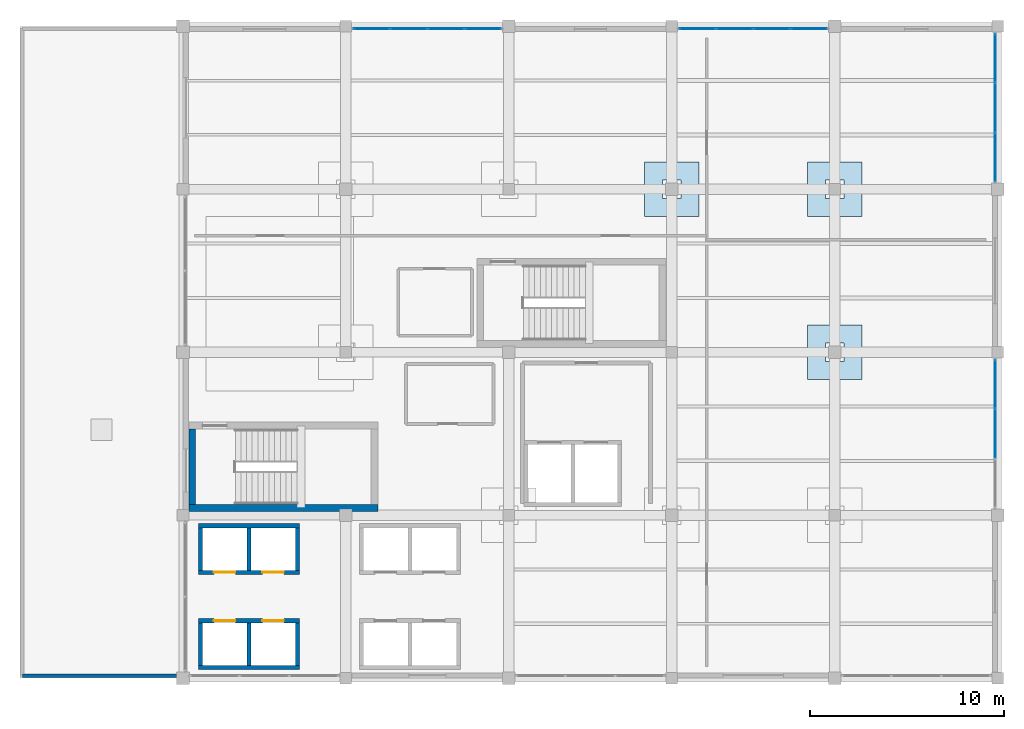
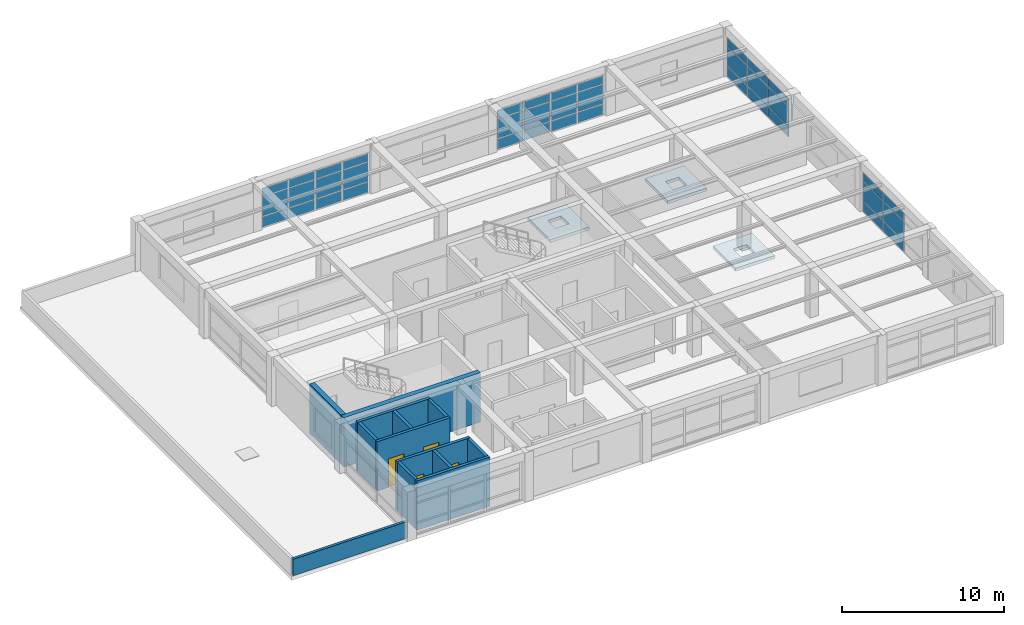
# One storey, part 23 of 26: 39 plates, 13 walls, 4 doors, 3 slabs, 4 openings, 4 elements without a shape of their own.
"""IFC4 building model written with IfcOpenShell, lengths in metres."""

from ifc_helpers import new_model, si_unit, direction, frame, frame_2d, origin, origin_2d, place, context, subcontext, project, spatial, polyline, rectangle, outline, extrude, material, layer, layer_set, type_object, element, fill, aggregate, save


model = new_model("IFC4")

# Units and contexts
model_context = context("Model", 3, precision=1e-05, world=origin(), true_north=direction((0.0, 1.0)))
body_context = subcontext(model_context, "Body", "Model", "MODEL_VIEW")
ifc_project = project(units=[si_unit("LENGTHUNIT", "METRE"), si_unit("AREAUNIT", "SQUARE_METRE"), si_unit("VOLUMEUNIT", "CUBIC_METRE"), si_unit("PLANEANGLEUNIT", "RADIAN"), si_unit("MASSUNIT", "GRAM", prefix="KILO")], contexts=[model_context])

# Site, building, storey
site_placement = place(None, origin())
site = spatial("IfcSite", under=ifc_project, at=site_placement, CompositionType="ELEMENT")
building_placement = place(site_placement, origin())
building = spatial("IfcBuilding", under=site, at=building_placement, Name="Almacenes y Pasaje Nevantli", CompositionType="ELEMENT")
storey_placement = place(building_placement, frame((0.0, 0.0, 42.699951171875)))
storey = spatial("IfcBuildingStorey", under=building, at=storey_placement, Name="L10", CompositionType="ELEMENT", Elevation=42.699951171875)

# Curtain wall, plates
ifc_material_1 = material(Name="Thermally Broken Aluminium and Low-E Glass", Category="aluminium")
curtain_wall_type = type_object("IfcCurtainWallType", Name="CW-UNIT-TOWER", PredefinedType="USERDEFINED", material=ifc_material_1)
curtain_wall_1_placement = place(storey_placement, origin())
curtain_wall_1 = element("IfcCurtainWall", 1, at=curtain_wall_1_placement, inside=storey, type_object=curtain_wall_type, Name="L10 Tower North Boulevard Unitized Curtain Wall Bay 16", ObjectType="UNITIZED CURTAIN WALL", PredefinedType="USERDEFINED")
ifc_material_2 = material(Name="Acoustic Tempered Low-E Triple Glazed Unit", Category="glass")
ifc_layer_1 = layer(ifc_material_2, 0.0419921875)
ifc_layer_set_1 = layer_set([ifc_layer_1], Name="Acoustic Tempered Low-E Triple Glazed Unit")
plate_type = type_object("IfcPlateType", Name="PL-IGU-42", PredefinedType="CURTAIN_PANEL", material=ifc_layer_set_1)
plate_1_placement = place(storey_placement, frame((127.328857421875, 100.679931640625, 0.065185546875), z_axis=(0.0, 0.0, 1.0), x_axis=(1.0, 0.0, 0.0)))
plate_1 = element("IfcPlate", 2, at=plate_1_placement, type_object=plate_type, Name="CW-L10-142 panel 1.1", PredefinedType="CURTAIN_PANEL", context=body_context, shape_type="SweptSolid", body=[
    extrude(rectangle(XDim=1.827392578125, YDim=0.0419921875, at=origin_2d()), origin(), (0.0, 0.0, 1.0), 0.75244140625),
])
plate_2_placement = place(storey_placement, frame((127.328857421875, 100.679931640625, 0.882568359375), z_axis=(0.0, 0.0, 1.0), x_axis=(1.0, 0.0, 0.0)))
plate_2 = element("IfcPlate", 3, at=plate_2_placement, type_object=plate_type, Name="CW-L10-142 panel 1.2", PredefinedType="CURTAIN_PANEL", context=body_context, shape_type="SweptSolid", body=[
    extrude(rectangle(XDim=1.827392578125, YDim=0.0419921875, at=origin_2d()), origin(), (0.0, 0.0, 1.0), 1.43505859375),
])
plate_3_placement = place(storey_placement, frame((127.328857421875, 100.679931640625, 2.38232421875), z_axis=(0.0, 0.0, 1.0), x_axis=(1.0, 0.0, 0.0)))
plate_3 = element("IfcPlate", 4, at=plate_3_placement, type_object=plate_type, Name="CW-L10-142 panel 1.3", PredefinedType="CURTAIN_PANEL", context=body_context, shape_type="SweptSolid", body=[
    extrude(rectangle(XDim=1.827392578125, YDim=0.0419921875, at=origin_2d()), origin(), (0.0, 0.0, 1.0), 0.592529296875),
])
plate_4_placement = place(storey_placement, frame((129.237548828125, 100.679931640625, 0.065185546875), z_axis=(0.0, 0.0, 1.0), x_axis=(1.0, 0.0, 0.0)))
plate_4 = element("IfcPlate", 5, at=plate_4_placement, type_object=plate_type, Name="CW-L10-142 panel 2.1", PredefinedType="CURTAIN_PANEL", context=body_context, shape_type="SweptSolid", body=[
    extrude(rectangle(XDim=1.860107421875, YDim=0.0419921875, at=origin_2d()), origin(), (0.0, 0.0, 1.0), 0.75244140625),
])
plate_5_placement = place(storey_placement, frame((129.237548828125, 100.679931640625, 0.882568359375), z_axis=(0.0, 0.0, 1.0), x_axis=(1.0, 0.0, 0.0)))
plate_5 = element("IfcPlate", 6, at=plate_5_placement, type_object=plate_type, Name="CW-L10-142 panel 2.2", PredefinedType="CURTAIN_PANEL", context=body_context, shape_type="SweptSolid", body=[
    extrude(rectangle(XDim=1.860107421875, YDim=0.0419921875, at=origin_2d()), origin(), (0.0, 0.0, 1.0), 1.43505859375),
])
plate_6_placement = place(storey_placement, frame((129.237548828125, 100.679931640625, 2.38232421875), z_axis=(0.0, 0.0, 1.0), x_axis=(1.0, 0.0, 0.0)))
plate_6 = element("IfcPlate", 7, at=plate_6_placement, type_object=plate_type, Name="CW-L10-142 panel 2.3", PredefinedType="CURTAIN_PANEL", context=body_context, shape_type="SweptSolid", body=[
    extrude(rectangle(XDim=1.860107421875, YDim=0.0419921875, at=origin_2d()), origin(), (0.0, 0.0, 1.0), 0.592529296875),
])
plate_7_placement = place(storey_placement, frame((131.16259765625, 100.679931640625, 0.065185546875), z_axis=(0.0, 0.0, 1.0), x_axis=(1.0, 0.0, 0.0)))
plate_7 = element("IfcPlate", 8, at=plate_7_placement, type_object=plate_type, Name="CW-L10-142 panel 3.1", PredefinedType="CURTAIN_PANEL", context=body_context, shape_type="SweptSolid", body=[
    extrude(rectangle(XDim=1.860107421875, YDim=0.0419921875, at=origin_2d()), origin(), (0.0, 0.0, 1.0), 0.75244140625),
])
plate_8_placement = place(storey_placement, frame((131.16259765625, 100.679931640625, 0.882568359375), z_axis=(0.0, 0.0, 1.0), x_axis=(1.0, 0.0, 0.0)))
plate_8 = element("IfcPlate", 9, at=plate_8_placement, type_object=plate_type, Name="CW-L10-142 panel 3.2", PredefinedType="CURTAIN_PANEL", context=body_context, shape_type="SweptSolid", body=[
    extrude(rectangle(XDim=1.860107421875, YDim=0.0419921875, at=origin_2d()), origin(), (0.0, 0.0, 1.0), 1.43505859375),
])
plate_9_placement = place(storey_placement, frame((131.16259765625, 100.679931640625, 2.38232421875), z_axis=(0.0, 0.0, 1.0), x_axis=(1.0, 0.0, 0.0)))
plate_9 = element("IfcPlate", 10, at=plate_9_placement, type_object=plate_type, Name="CW-L10-142 panel 3.3", PredefinedType="CURTAIN_PANEL", context=body_context, shape_type="SweptSolid", body=[
    extrude(rectangle(XDim=1.860107421875, YDim=0.0419921875, at=origin_2d()), origin(), (0.0, 0.0, 1.0), 0.592529296875),
])
plate_10_placement = place(storey_placement, frame((133.0712890625, 100.679931640625, 0.065185546875), z_axis=(0.0, 0.0, 1.0), x_axis=(1.0, 0.0, 0.0)))
plate_10 = element("IfcPlate", 11, at=plate_10_placement, type_object=plate_type, Name="CW-L10-142 panel 4.1", PredefinedType="CURTAIN_PANEL", context=body_context, shape_type="SweptSolid", body=[
    extrude(rectangle(XDim=1.827392578125, YDim=0.0419921875, at=origin_2d()), origin(), (0.0, 0.0, 1.0), 0.75244140625),
])
plate_11_placement = place(storey_placement, frame((133.0712890625, 100.679931640625, 0.882568359375), z_axis=(0.0, 0.0, 1.0), x_axis=(1.0, 0.0, 0.0)))
plate_11 = element("IfcPlate", 12, at=plate_11_placement, type_object=plate_type, Name="CW-L10-142 panel 4.2", PredefinedType="CURTAIN_PANEL", context=body_context, shape_type="SweptSolid", body=[
    extrude(rectangle(XDim=1.827392578125, YDim=0.0419921875, at=origin_2d()), origin(), (0.0, 0.0, 1.0), 1.43505859375),
])
plate_12_placement = place(storey_placement, frame((133.0712890625, 100.679931640625, 2.38232421875), z_axis=(0.0, 0.0, 1.0), x_axis=(1.0, 0.0, 0.0)))
plate_12 = element("IfcPlate", 13, at=plate_12_placement, type_object=plate_type, Name="CW-L10-142 panel 4.3", PredefinedType="CURTAIN_PANEL", context=body_context, shape_type="SweptSolid", body=[
    extrude(rectangle(XDim=1.827392578125, YDim=0.0419921875, at=origin_2d()), origin(), (0.0, 0.0, 1.0), 0.592529296875),
])
aggregate(curtain_wall_1, [plate_1, plate_2, plate_3, plate_4, plate_5, plate_6, plate_7, plate_8, plate_9, plate_10, plate_11, plate_12])

curtain_wall_2_placement = place(storey_placement, origin())
curtain_wall_2 = element("IfcCurtainWall", 14, at=curtain_wall_2_placement, inside=storey, type_object=curtain_wall_type, Name="L10 Tower North Boulevard Unitized Curtain Wall Bay 18", ObjectType="UNITIZED CURTAIN WALL", PredefinedType="USERDEFINED")
plate_13_placement = place(storey_placement, frame((144.128662109375, 100.679931640625, 0.065185546875), z_axis=(0.0, 0.0, 1.0), x_axis=(1.0, 0.0, 0.0)))
plate_13 = element("IfcPlate", 15, at=plate_13_placement, type_object=plate_type, Name="CW-L10-144 panel 1.1", PredefinedType="CURTAIN_PANEL", context=body_context, shape_type="SweptSolid", body=[
    extrude(rectangle(XDim=1.827392578125, YDim=0.0419921875, at=origin_2d()), origin(), (0.0, 0.0, 1.0), 0.75244140625),
])
plate_14_placement = place(storey_placement, frame((144.128662109375, 100.679931640625, 0.882568359375), z_axis=(0.0, 0.0, 1.0), x_axis=(1.0, 0.0, 0.0)))
plate_14 = element("IfcPlate", 16, at=plate_14_placement, type_object=plate_type, Name="CW-L10-144 panel 1.2", PredefinedType="CURTAIN_PANEL", context=body_context, shape_type="SweptSolid", body=[
    extrude(rectangle(XDim=1.827392578125, YDim=0.0419921875, at=origin_2d()), origin(), (0.0, 0.0, 1.0), 1.43505859375),
])
plate_15_placement = place(storey_placement, frame((144.128662109375, 100.679931640625, 2.38232421875), z_axis=(0.0, 0.0, 1.0), x_axis=(1.0, 0.0, 0.0)))
plate_15 = element("IfcPlate", 17, at=plate_15_placement, type_object=plate_type, Name="CW-L10-144 panel 1.3", PredefinedType="CURTAIN_PANEL", context=body_context, shape_type="SweptSolid", body=[
    extrude(rectangle(XDim=1.827392578125, YDim=0.0419921875, at=origin_2d()), origin(), (0.0, 0.0, 1.0), 0.592529296875),
])
plate_16_placement = place(storey_placement, frame((146.03759765625, 100.679931640625, 0.065185546875), z_axis=(0.0, 0.0, 1.0), x_axis=(1.0, 0.0, 0.0)))
plate_16 = element("IfcPlate", 18, at=plate_16_placement, type_object=plate_type, Name="CW-L10-144 panel 2.1", PredefinedType="CURTAIN_PANEL", context=body_context, shape_type="SweptSolid", body=[
    extrude(rectangle(XDim=1.860107421875, YDim=0.0419921875, at=origin_2d()), origin(), (0.0, 0.0, 1.0), 0.75244140625),
])
plate_17_placement = place(storey_placement, frame((146.03759765625, 100.679931640625, 0.882568359375), z_axis=(0.0, 0.0, 1.0), x_axis=(1.0, 0.0, 0.0)))
plate_17 = element("IfcPlate", 19, at=plate_17_placement, type_object=plate_type, Name="CW-L10-144 panel 2.2", PredefinedType="CURTAIN_PANEL", context=body_context, shape_type="SweptSolid", body=[
    extrude(rectangle(XDim=1.860107421875, YDim=0.0419921875, at=origin_2d()), origin(), (0.0, 0.0, 1.0), 1.43505859375),
])
plate_18_placement = place(storey_placement, frame((146.03759765625, 100.679931640625, 2.38232421875), z_axis=(0.0, 0.0, 1.0), x_axis=(1.0, 0.0, 0.0)))
plate_18 = element("IfcPlate", 20, at=plate_18_placement, type_object=plate_type, Name="CW-L10-144 panel 2.3", PredefinedType="CURTAIN_PANEL", context=body_context, shape_type="SweptSolid", body=[
    extrude(rectangle(XDim=1.860107421875, YDim=0.0419921875, at=origin_2d()), origin(), (0.0, 0.0, 1.0), 0.592529296875),
])
plate_19_placement = place(storey_placement, frame((147.96240234375, 100.679931640625, 0.065185546875), z_axis=(0.0, 0.0, 1.0), x_axis=(1.0, 0.0, 0.0)))
plate_19 = element("IfcPlate", 21, at=plate_19_placement, type_object=plate_type, Name="CW-L10-144 panel 3.1", PredefinedType="CURTAIN_PANEL", context=body_context, shape_type="SweptSolid", body=[
    extrude(rectangle(XDim=1.860107421875, YDim=0.0419921875, at=origin_2d()), origin(), (0.0, 0.0, 1.0), 0.75244140625),
])
plate_20_placement = place(storey_placement, frame((147.96240234375, 100.679931640625, 0.882568359375), z_axis=(0.0, 0.0, 1.0), x_axis=(1.0, 0.0, 0.0)))
plate_20 = element("IfcPlate", 22, at=plate_20_placement, type_object=plate_type, Name="CW-L10-144 panel 3.2", PredefinedType="CURTAIN_PANEL", context=body_context, shape_type="SweptSolid", body=[
    extrude(rectangle(XDim=1.860107421875, YDim=0.0419921875, at=origin_2d()), origin(), (0.0, 0.0, 1.0), 1.43505859375),
])
plate_21_placement = place(storey_placement, frame((147.96240234375, 100.679931640625, 2.38232421875), z_axis=(0.0, 0.0, 1.0), x_axis=(1.0, 0.0, 0.0)))
plate_21 = element("IfcPlate", 23, at=plate_21_placement, type_object=plate_type, Name="CW-L10-144 panel 3.3", PredefinedType="CURTAIN_PANEL", context=body_context, shape_type="SweptSolid", body=[
    extrude(rectangle(XDim=1.860107421875, YDim=0.0419921875, at=origin_2d()), origin(), (0.0, 0.0, 1.0), 0.592529296875),
])
plate_22_placement = place(storey_placement, frame((149.871337890625, 100.679931640625, 0.065185546875), z_axis=(0.0, 0.0, 1.0), x_axis=(1.0, 0.0, 0.0)))
plate_22 = element("IfcPlate", 24, at=plate_22_placement, type_object=plate_type, Name="CW-L10-144 panel 4.1", PredefinedType="CURTAIN_PANEL", context=body_context, shape_type="SweptSolid", body=[
    extrude(rectangle(XDim=1.827392578125, YDim=0.0419921875, at=origin_2d()), origin(), (0.0, 0.0, 1.0), 0.75244140625),
])
plate_23_placement = place(storey_placement, frame((149.871337890625, 100.679931640625, 0.882568359375), z_axis=(0.0, 0.0, 1.0), x_axis=(1.0, 0.0, 0.0)))
plate_23 = element("IfcPlate", 25, at=plate_23_placement, type_object=plate_type, Name="CW-L10-144 panel 4.2", PredefinedType="CURTAIN_PANEL", context=body_context, shape_type="SweptSolid", body=[
    extrude(rectangle(XDim=1.827392578125, YDim=0.0419921875, at=origin_2d()), origin(), (0.0, 0.0, 1.0), 1.43505859375),
])
plate_24_placement = place(storey_placement, frame((149.871337890625, 100.679931640625, 2.38232421875), z_axis=(0.0, 0.0, 1.0), x_axis=(1.0, 0.0, 0.0)))
plate_24 = element("IfcPlate", 26, at=plate_24_placement, type_object=plate_type, Name="CW-L10-144 panel 4.3", PredefinedType="CURTAIN_PANEL", context=body_context, shape_type="SweptSolid", body=[
    extrude(rectangle(XDim=1.827392578125, YDim=0.0419921875, at=origin_2d()), origin(), (0.0, 0.0, 1.0), 0.592529296875),
])
aggregate(curtain_wall_2, [plate_13, plate_14, plate_15, plate_16, plate_17, plate_18, plate_19, plate_20, plate_21, plate_22, plate_23, plate_24])

curtain_wall_3_placement = place(storey_placement, origin())
curtain_wall_3 = element("IfcCurtainWall", 27, at=curtain_wall_3_placement, inside=storey, type_object=curtain_wall_type, Name="L10 Tower East Curtain Wall Bay 10", ObjectType="UNITIZED CURTAIN WALL", PredefinedType="USERDEFINED")
plate_25_placement = place(storey_placement, frame((159.47998046875, 79.800048828125, 0.06005859375), z_axis=(0.0, 0.0, 1.0), x_axis=(0.0, 1.0, 0.0)))
plate_25 = element("IfcPlate", 28, at=plate_25_placement, type_object=plate_type, Name="CW-L10-147 panel 2.1", PredefinedType="CURTAIN_PANEL", context=body_context, shape_type="SweptSolid", body=[
    extrude(rectangle(XDim=2.506591796875, YDim=0.0419921875, at=origin_2d()), origin(), (0.0, 0.0, 1.0), 0.760009765625),
])
plate_26_placement = place(storey_placement, frame((159.47998046875, 79.800048828125, 0.880126953125), z_axis=(0.0, 0.0, 1.0), x_axis=(0.0, 1.0, 0.0)))
plate_26 = element("IfcPlate", 29, at=plate_26_placement, type_object=plate_type, Name="CW-L10-147 panel 2.2", PredefinedType="CURTAIN_PANEL", context=body_context, shape_type="SweptSolid", body=[
    extrude(rectangle(XDim=2.506591796875, YDim=0.0419921875, at=origin_2d()), origin(), (0.0, 0.0, 1.0), 1.43994140625),
])
plate_27_placement = place(storey_placement, frame((159.47998046875, 79.800048828125, 2.3798828125), z_axis=(0.0, 0.0, 1.0), x_axis=(0.0, 1.0, 0.0)))
plate_27 = element("IfcPlate", 30, at=plate_27_placement, type_object=plate_type, Name="CW-L10-147 panel 2.3", PredefinedType="CURTAIN_PANEL", context=body_context, shape_type="SweptSolid", body=[
    extrude(rectangle(XDim=2.506591796875, YDim=0.0419921875, at=origin_2d()), origin(), (0.0, 0.0, 1.0), 0.60009765625),
])
plate_28_placement = place(storey_placement, frame((159.47998046875, 82.3515625, 0.06005859375), z_axis=(0.0, 0.0, 1.0), x_axis=(0.0, 1.0, 0.0)))
plate_28 = element("IfcPlate", 31, at=plate_28_placement, type_object=plate_type, Name="CW-L10-147 panel 3.1", PredefinedType="CURTAIN_PANEL", context=body_context, shape_type="SweptSolid", body=[
    extrude(rectangle(XDim=2.4765625, YDim=0.0419921875, at=origin_2d()), origin(), (0.0, 0.0, 1.0), 0.760009765625),
])
plate_29_placement = place(storey_placement, frame((159.47998046875, 82.3515625, 0.880126953125), z_axis=(0.0, 0.0, 1.0), x_axis=(0.0, 1.0, 0.0)))
plate_29 = element("IfcPlate", 32, at=plate_29_placement, type_object=plate_type, Name="CW-L10-147 panel 3.2", PredefinedType="CURTAIN_PANEL", context=body_context, shape_type="SweptSolid", body=[
    extrude(rectangle(XDim=2.4765625, YDim=0.0419921875, at=origin_2d()), origin(), (0.0, 0.0, 1.0), 1.43994140625),
])
plate_30_placement = place(storey_placement, frame((159.47998046875, 82.3515625, 2.3798828125), z_axis=(0.0, 0.0, 1.0), x_axis=(0.0, 1.0, 0.0)))
plate_30 = element("IfcPlate", 33, at=plate_30_placement, type_object=plate_type, Name="CW-L10-147 panel 3.3", PredefinedType="CURTAIN_PANEL", context=body_context, shape_type="SweptSolid", body=[
    extrude(rectangle(XDim=2.4765625, YDim=0.0419921875, at=origin_2d()), origin(), (0.0, 0.0, 1.0), 0.60009765625),
])
aggregate(curtain_wall_3, [plate_25, plate_26, plate_27, plate_28, plate_29, plate_30])

curtain_wall_4_placement = place(storey_placement, origin())
curtain_wall_4 = element("IfcCurtainWall", 34, at=curtain_wall_4_placement, inside=storey, type_object=curtain_wall_type, Name="L10 Tower East Curtain Wall Bay 12", ObjectType="UNITIZED CURTAIN WALL", PredefinedType="USERDEFINED")
plate_31_placement = place(storey_placement, frame((159.47998046875, 94.04833984375, 0.06005859375), z_axis=(0.0, 0.0, 1.0), x_axis=(0.0, 1.0, 0.0)))
plate_31 = element("IfcPlate", 35, at=plate_31_placement, type_object=plate_type, Name="CW-L10-149 panel 1.1", PredefinedType="CURTAIN_PANEL", context=body_context, shape_type="SweptSolid", body=[
    extrude(rectangle(XDim=2.4765625, YDim=0.0419921875, at=origin_2d()), origin(), (0.0, 0.0, 1.0), 0.760009765625),
])
plate_32_placement = place(storey_placement, frame((159.47998046875, 94.04833984375, 0.880126953125), z_axis=(0.0, 0.0, 1.0), x_axis=(0.0, 1.0, 0.0)))
plate_32 = element("IfcPlate", 36, at=plate_32_placement, type_object=plate_type, Name="CW-L10-149 panel 1.2", PredefinedType="CURTAIN_PANEL", context=body_context, shape_type="SweptSolid", body=[
    extrude(rectangle(XDim=2.4765625, YDim=0.0419921875, at=origin_2d()), origin(), (0.0, 0.0, 1.0), 1.43994140625),
])
plate_33_placement = place(storey_placement, frame((159.47998046875, 94.04833984375, 2.3798828125), z_axis=(0.0, 0.0, 1.0), x_axis=(0.0, 1.0, 0.0)))
plate_33 = element("IfcPlate", 37, at=plate_33_placement, type_object=plate_type, Name="CW-L10-149 panel 1.3", PredefinedType="CURTAIN_PANEL", context=body_context, shape_type="SweptSolid", body=[
    extrude(rectangle(XDim=2.4765625, YDim=0.0419921875, at=origin_2d()), origin(), (0.0, 0.0, 1.0), 0.60009765625),
])
plate_34_placement = place(storey_placement, frame((159.47998046875, 96.60009765625, 0.06005859375), z_axis=(0.0, 0.0, 1.0), x_axis=(0.0, 1.0, 0.0)))
plate_34 = element("IfcPlate", 38, at=plate_34_placement, type_object=plate_type, Name="CW-L10-149 panel 2.1", PredefinedType="CURTAIN_PANEL", context=body_context, shape_type="SweptSolid", body=[
    extrude(rectangle(XDim=2.506591796875, YDim=0.0419921875, at=origin_2d()), origin(), (0.0, 0.0, 1.0), 0.760009765625),
])
plate_35_placement = place(storey_placement, frame((159.47998046875, 96.60009765625, 0.880126953125), z_axis=(0.0, 0.0, 1.0), x_axis=(0.0, 1.0, 0.0)))
plate_35 = element("IfcPlate", 39, at=plate_35_placement, type_object=plate_type, Name="CW-L10-149 panel 2.2", PredefinedType="CURTAIN_PANEL", context=body_context, shape_type="SweptSolid", body=[
    extrude(rectangle(XDim=2.506591796875, YDim=0.0419921875, at=origin_2d()), origin(), (0.0, 0.0, 1.0), 1.43994140625),
])
plate_36_placement = place(storey_placement, frame((159.47998046875, 96.60009765625, 2.3798828125), z_axis=(0.0, 0.0, 1.0), x_axis=(0.0, 1.0, 0.0)))
plate_36 = element("IfcPlate", 40, at=plate_36_placement, type_object=plate_type, Name="CW-L10-149 panel 2.3", PredefinedType="CURTAIN_PANEL", context=body_context, shape_type="SweptSolid", body=[
    extrude(rectangle(XDim=2.506591796875, YDim=0.0419921875, at=origin_2d()), origin(), (0.0, 0.0, 1.0), 0.60009765625),
])
plate_37_placement = place(storey_placement, frame((159.47998046875, 99.151611328125, 0.06005859375), z_axis=(0.0, 0.0, 1.0), x_axis=(0.0, 1.0, 0.0)))
plate_37 = element("IfcPlate", 41, at=plate_37_placement, type_object=plate_type, Name="CW-L10-149 panel 3.1", PredefinedType="CURTAIN_PANEL", context=body_context, shape_type="SweptSolid", body=[
    extrude(rectangle(XDim=2.4765625, YDim=0.0419921875, at=origin_2d()), origin(), (0.0, 0.0, 1.0), 0.760009765625),
])
plate_38_placement = place(storey_placement, frame((159.47998046875, 99.151611328125, 0.880126953125), z_axis=(0.0, 0.0, 1.0), x_axis=(0.0, 1.0, 0.0)))
plate_38 = element("IfcPlate", 42, at=plate_38_placement, type_object=plate_type, Name="CW-L10-149 panel 3.2", PredefinedType="CURTAIN_PANEL", context=body_context, shape_type="SweptSolid", body=[
    extrude(rectangle(XDim=2.4765625, YDim=0.0419921875, at=origin_2d()), origin(), (0.0, 0.0, 1.0), 1.43994140625),
])
plate_39_placement = place(storey_placement, frame((159.47998046875, 99.151611328125, 2.3798828125), z_axis=(0.0, 0.0, 1.0), x_axis=(0.0, 1.0, 0.0)))
plate_39 = element("IfcPlate", 43, at=plate_39_placement, type_object=plate_type, Name="CW-L10-149 panel 3.3", PredefinedType="CURTAIN_PANEL", context=body_context, shape_type="SweptSolid", body=[
    extrude(rectangle(XDim=2.4765625, YDim=0.0419921875, at=origin_2d()), origin(), (0.0, 0.0, 1.0), 0.60009765625),
])
aggregate(curtain_wall_4, [plate_31, plate_32, plate_33, plate_34, plate_35, plate_36, plate_37, plate_38, plate_39])

# Slabs
ifc_material_3 = material(Name="Concrete C35/45", Category="concrete")
ifc_layer_2 = layer(ifc_material_3, 0.22998046875)
ifc_layer_set_2 = layer_set([ifc_layer_2], Name="Concrete C35/45")
slab_type = type_object("IfcSlabType", Name="SLB-DP-230", PredefinedType="USERDEFINED", material=ifc_layer_set_2)
slab_1_placement = place(storey_placement, frame((0.0, 0.0, -0.510009765625)))
element("IfcSlab", 44, at=slab_1_placement, inside=storey, type_object=slab_type, Name="L10 Punching-Shear Drop Panel DP-01 #1148", ObjectType="DROP PANEL", PredefinedType="USERDEFINED", context=body_context, shape_type="SweptSolid", body=[
    extrude(outline(polyline([(141.39990234375, 91.0), (144.199951171875, 91.0), (144.199951171875, 93.800048828125), (141.39990234375, 93.800048828125), (141.39990234375, 91.0)]), holes=[polyline([(142.320068359375, 91.919921875), (143.280029296875, 91.919921875), (143.280029296875, 92.8798828125), (142.320068359375, 92.8798828125), (142.320068359375, 91.919921875)])]), origin(), (0.0, 0.0, 1.0), 0.22998046875),
])
slab_2_placement = place(storey_placement, frame((0.0, 0.0, -0.510009765625)))
element("IfcSlab", 45, at=slab_2_placement, inside=storey, type_object=slab_type, Name="L10 Punching-Shear Drop Panel DP-01 #1150", ObjectType="DROP PANEL", PredefinedType="USERDEFINED", context=body_context, shape_type="SweptSolid", body=[
    extrude(outline(polyline([(149.800048828125, 82.60009765625), (152.60009765625, 82.60009765625), (152.60009765625, 85.39990234375), (149.800048828125, 85.39990234375), (149.800048828125, 82.60009765625)]), holes=[polyline([(150.719970703125, 83.52001953125), (151.679931640625, 83.52001953125), (151.679931640625, 84.47998046875), (150.719970703125, 84.47998046875), (150.719970703125, 83.52001953125)])]), origin(), (0.0, 0.0, 1.0), 0.22998046875),
])
slab_3_placement = place(storey_placement, frame((0.0, 0.0, -0.510009765625)))
element("IfcSlab", 46, at=slab_3_placement, inside=storey, type_object=slab_type, Name="L10 Punching-Shear Drop Panel DP-01 #1151", ObjectType="DROP PANEL", PredefinedType="USERDEFINED", context=body_context, shape_type="SweptSolid", body=[
    extrude(outline(polyline([(149.800048828125, 91.0), (152.60009765625, 91.0), (152.60009765625, 93.800048828125), (149.800048828125, 93.800048828125), (149.800048828125, 91.0)]), holes=[polyline([(150.719970703125, 91.919921875), (151.679931640625, 91.919921875), (151.679931640625, 92.8798828125), (150.719970703125, 92.8798828125), (150.719970703125, 91.919921875)])]), origin(), (0.0, 0.0, 1.0), 0.22998046875),
])

# Walls
ifc_material_4 = material(Name="Concrete C45/55", Category="concrete")
ifc_layer_3 = layer(ifc_material_4, 0.35009765625)
ifc_layer_set_3 = layer_set([ifc_layer_3], Name="Concrete C45/55")
wall_type_1 = type_object("IfcWallType", Name="WL-CORE-350", PredefinedType="SHEAR", material=ifc_layer_set_3)
wall_1_placement = place(storey_placement, frame((117.89990234375, 75.97509765625, 0.0), z_axis=(0.0, 0.0, 1.0), x_axis=(1.0, 0.0, 0.0)))
element("IfcWall", 47, at=wall_1_placement, inside=storey, type_object=wall_type_1, Name="L10 Exit Stair ST-01 South Core Shear Wall", PredefinedType="SHEAR", context=body_context, shape_type="SweptSolid", body=[
    extrude(rectangle(XDim=9.75, YDim=0.35009765625, at=frame_2d((4.875, 0.0))), origin(), (0.0, 0.0, 1.0), 3.719970703125),
])
wall_2_placement = place(storey_placement, frame((118.074951171875, 76.14990234375, 0.0), z_axis=(0.0, 0.0, 1.0), x_axis=(0.0, 1.0, 0.0)))
element("IfcWall", 48, at=wall_2_placement, inside=storey, type_object=wall_type_1, Name="L10 Exit Stair ST-01 West Core Shear Wall", PredefinedType="SHEAR", context=body_context, shape_type="SweptSolid", body=[
    extrude(rectangle(XDim=3.89013671875, YDim=0.35009765625, at=frame_2d((1.945068359375, 0.0))), origin(), (0.0, 0.0, 1.0), 3.719970703125),
])
ifc_material_5 = material(Name="Reinforced Concrete C35/45 Tower Parapet", Category="concrete")
ifc_layer_4 = layer(ifc_material_5, 0.18994140625)
ifc_layer_set_4 = layer_set([ifc_layer_4], Name="Reinforced Concrete C35/45 Tower Parapet")
wall_type_2 = type_object("IfcWallType", Name="WL-PARAPET-190", PredefinedType="PARAPET", material=ifc_layer_set_4)
wall_3_placement = place(storey_placement, frame((109.320068359375, 67.320068359375, 0.0), z_axis=(0.0, 0.0, 1.0), x_axis=(1.0, 0.0, 0.0)))
element("IfcWall", 49, at=wall_3_placement, inside=storey, type_object=wall_type_2, Name="L10 Setback South Parapet", PredefinedType="PARAPET", context=body_context, shape_type="SweptSolid", body=[
    extrude(rectangle(XDim=8.159912109375, YDim=0.18994140625, at=frame_2d((4.080078125, 0.0))), origin(), (0.0, 0.0, 1.0), 1.25),
])
ifc_material_6 = material(Name="Concrete C45/55", Category="concrete")
ifc_layer_5 = layer(ifc_material_6, 0.2099609375)
ifc_layer_set_5 = layer_set([ifc_layer_5], Name="Concrete C45/55")
wall_type_3 = type_object("IfcWallType", Name="WL-SHAFT-210", PredefinedType="SHEAR", material=ifc_layer_set_5)
wall_4_placement = place(storey_placement, frame((118.389892578125, 67.7451171875, 0.0), z_axis=(0.0, 0.0, 1.0), x_axis=(1.0, 0.0, 0.0)))
element("IfcWall", 50, at=wall_4_placement, inside=storey, type_object=wall_type_3, Name="L10 Lift Hoistway ELV-P05-ELV-P06 South Wall", PredefinedType="SHEAR", context=body_context, shape_type="SweptSolid", body=[
    extrude(rectangle(XDim=5.22021484375, YDim=0.2099609375, at=frame_2d((2.610107421875, 0.0))), origin(), (0.0, 0.0, 1.0), 3.719970703125),
])

# Wall, openings, doors
wall_5_placement = place(storey_placement, frame((118.389892578125, 70.155029296875, 0.0), z_axis=(0.0, 0.0, 1.0), x_axis=(1.0, 0.0, 0.0)))
wall_5 = element("IfcWall", 51, at=wall_5_placement, inside=storey, type_object=wall_type_3, Name="L10 Lift Hoistway ELV-P05-ELV-P06 North Wall", PredefinedType="SHEAR", context=body_context, shape_type="SweptSolid", body=[
    extrude(rectangle(XDim=5.22021484375, YDim=0.2099609375, at=frame_2d((2.610107421875, 0.0))), origin(), (0.0, 0.0, 1.0), 3.719970703125),
])
opening_1_placement = place(wall_5_placement, frame((0.81005859375, 0.0, 0.0)))
opening_1 = element("IfcOpeningElement", 52, at=opening_1_placement, cuts=wall_5, Name="Opening LD-P05-L10", PredefinedType="OPENING", context=body_context, shape_type="SweptSolid", body=[
    extrude(rectangle(XDim=1.10009765625, YDim=2.14990234375, at=frame_2d((0.550048828125, 1.074951171875))), frame((0.0, 0.114990234375, 0.0), z_axis=(0.0, -1.0, 0.0), x_axis=(1.0, 0.0, 0.0)), (0.0, 0.0, 1.0), 0.22998046875),
])
opening_2_placement = place(wall_5_placement, frame((3.31005859375, 0.0, 0.0)))
opening_2 = element("IfcOpeningElement", 53, at=opening_2_placement, cuts=wall_5, Name="Opening LD-P06-L10", PredefinedType="OPENING", context=body_context, shape_type="SweptSolid", body=[
    extrude(rectangle(XDim=1.10009765625, YDim=2.14990234375, at=frame_2d((0.550048828125, 1.074951171875))), frame((0.0, 0.114990234375, 0.0), z_axis=(0.0, -1.0, 0.0), x_axis=(1.0, 0.0, 0.0)), (0.0, 0.0, 1.0), 0.22998046875),
])
ifc_material_7 = material(Name="Brushed Stainless Steel", Category="steel")
door_type = type_object("IfcDoorType", Name="DR-LD-PASS-1100", OperationType="DOUBLE_DOOR_SLIDING", PredefinedType="DOOR", material=ifc_material_7)
door_1_placement = place(opening_1_placement, origin())
door_1 = element("IfcDoor", 54, at=door_1_placement, inside=storey, type_object=door_type, Name="Lift Landing Door ELV-P05 L10", OperationType="DOUBLE_DOOR_SLIDING", OverallHeight=2.14990234375, OverallWidth=1.10009765625, PredefinedType="DOOR", context=body_context, shape_type="SweptSolid", body=[
    extrude(rectangle(XDim=1.10009765625, YDim=2.14990234375, at=frame_2d((0.550048828125, 1.074951171875))), frame((0.0, 0.02490234375, 0.0), z_axis=(0.0, -1.0, 0.0), x_axis=(1.0, 0.0, 0.0)), (0.0, 0.0, 1.0), 0.050048828125),
])
fill(opening_1, door_1)
door_2_placement = place(opening_2_placement, origin())
door_2 = element("IfcDoor", 55, at=door_2_placement, inside=storey, type_object=door_type, Name="Lift Landing Door ELV-P06 L10", OperationType="DOUBLE_DOOR_SLIDING", OverallHeight=2.14990234375, OverallWidth=1.10009765625, PredefinedType="DOOR", context=body_context, shape_type="SweptSolid", body=[
    extrude(rectangle(XDim=1.10009765625, YDim=2.14990234375, at=frame_2d((0.550048828125, 1.074951171875))), frame((0.0, 0.02490234375, 0.0), z_axis=(0.0, -1.0, 0.0), x_axis=(1.0, 0.0, 0.0)), (0.0, 0.0, 1.0), 0.050048828125),
])
fill(opening_2, door_2)

# Walls
for number, where, z_axis, x_axis, name in (
    (56, (118.4951171875, 67.85009765625, 0.0), (0.0, 0.0, 1.0), (0.0, 1.0, 0.0), "L10 Lift Hoistway ELV-P05 West Wall"),
    (57, (123.5048828125, 67.85009765625, 0.0), (0.0, 0.0, 1.0), (0.0, 1.0, 0.0), "L10 Lift Hoistway ELV-P06 East Wall"),
    (58, (121.0, 67.85009765625, 0.0), (0.0, 0.0, 1.0), (0.0, 1.0, 0.0), "L10 Lift Hoistway Divider Wall ELV-P05/ELV-P06"),
):
    element("IfcWall", number, at=place(storey_placement, frame(where, z_axis=z_axis, x_axis=x_axis)), inside=storey, type_object=wall_type_3, Name=name, PredefinedType="SHEAR", context=body_context, shape_type="SweptSolid", body=[
        extrude(rectangle(XDim=2.199951171875, YDim=0.2099609375, at=frame_2d((1.10009765625, 0.0))), origin(), (0.0, 0.0, 1.0), 3.719970703125),
    ])

# Wall, openings, doors
wall_6_placement = place(storey_placement, frame((118.389892578125, 72.64501953125, 0.0), z_axis=(0.0, 0.0, 1.0), x_axis=(1.0, 0.0, 0.0)))
wall_6 = element("IfcWall", 59, at=wall_6_placement, inside=storey, type_object=wall_type_3, Name="L10 Lift Hoistway ELV-P07-ELV-P08 South Wall", PredefinedType="SHEAR", context=body_context, shape_type="SweptSolid", body=[
    extrude(rectangle(XDim=5.22021484375, YDim=0.2099609375, at=frame_2d((2.610107421875, 0.0))), origin(), (0.0, 0.0, 1.0), 3.719970703125),
])
opening_3_placement = place(wall_6_placement, frame((0.81005859375, 0.0, 0.0)))
opening_3 = element("IfcOpeningElement", 60, at=opening_3_placement, cuts=wall_6, Name="Opening LD-P07-L10", PredefinedType="OPENING", context=body_context, shape_type="SweptSolid", body=[
    extrude(rectangle(XDim=1.10009765625, YDim=2.14990234375, at=frame_2d((0.550048828125, 1.074951171875))), frame((0.0, 0.114990234375, 0.0), z_axis=(0.0, -1.0, 0.0), x_axis=(1.0, 0.0, 0.0)), (0.0, 0.0, 1.0), 0.22998046875),
])
opening_4_placement = place(wall_6_placement, frame((3.31005859375, 0.0, 0.0)))
opening_4 = element("IfcOpeningElement", 61, at=opening_4_placement, cuts=wall_6, Name="Opening LD-P08-L10", PredefinedType="OPENING", context=body_context, shape_type="SweptSolid", body=[
    extrude(rectangle(XDim=1.10009765625, YDim=2.14990234375, at=frame_2d((0.550048828125, 1.074951171875))), frame((0.0, 0.114990234375, 0.0), z_axis=(0.0, -1.0, 0.0), x_axis=(1.0, 0.0, 0.0)), (0.0, 0.0, 1.0), 0.22998046875),
])
door_3_placement = place(opening_3_placement, origin())
door_3 = element("IfcDoor", 62, at=door_3_placement, inside=storey, type_object=door_type, Name="Lift Landing Door ELV-P07 L10", OperationType="DOUBLE_DOOR_SLIDING", OverallHeight=2.14990234375, OverallWidth=1.10009765625, PredefinedType="DOOR", context=body_context, shape_type="SweptSolid", body=[
    extrude(rectangle(XDim=1.10009765625, YDim=2.14990234375, at=frame_2d((0.550048828125, 1.074951171875))), frame((0.0, 0.02490234375, 0.0), z_axis=(0.0, -1.0, 0.0), x_axis=(1.0, 0.0, 0.0)), (0.0, 0.0, 1.0), 0.050048828125),
])
fill(opening_3, door_3)
door_4_placement = place(opening_4_placement, origin())
door_4 = element("IfcDoor", 63, at=door_4_placement, inside=storey, type_object=door_type, Name="Lift Landing Door ELV-P08 L10", OperationType="DOUBLE_DOOR_SLIDING", OverallHeight=2.14990234375, OverallWidth=1.10009765625, PredefinedType="DOOR", context=body_context, shape_type="SweptSolid", body=[
    extrude(rectangle(XDim=1.10009765625, YDim=2.14990234375, at=frame_2d((0.550048828125, 1.074951171875))), frame((0.0, 0.02490234375, 0.0), z_axis=(0.0, -1.0, 0.0), x_axis=(1.0, 0.0, 0.0)), (0.0, 0.0, 1.0), 0.050048828125),
])
fill(opening_4, door_4)

# Walls
wall_7_placement = place(storey_placement, frame((118.389892578125, 75.054931640625, 0.0), z_axis=(0.0, 0.0, 1.0), x_axis=(1.0, 0.0, 0.0)))
element("IfcWall", 64, at=wall_7_placement, inside=storey, type_object=wall_type_3, Name="L10 Lift Hoistway ELV-P07-ELV-P08 North Wall", PredefinedType="SHEAR", context=body_context, shape_type="SweptSolid", body=[
    extrude(rectangle(XDim=5.22021484375, YDim=0.2099609375, at=frame_2d((2.610107421875, 0.0))), origin(), (0.0, 0.0, 1.0), 3.719970703125),
])
for number, where, z_axis, x_axis, name in (
    (65, (118.4951171875, 72.75, 0.0), (0.0, 0.0, 1.0), (0.0, 1.0, 0.0), "L10 Lift Hoistway ELV-P07 West Wall"),
    (66, (123.5048828125, 72.75, 0.0), (0.0, 0.0, 1.0), (0.0, 1.0, 0.0), "L10 Lift Hoistway ELV-P08 East Wall"),
    (67, (121.0, 72.75, 0.0), (0.0, 0.0, 1.0), (0.0, 1.0, 0.0), "L10 Lift Hoistway Divider Wall ELV-P07/ELV-P08"),
):
    element("IfcWall", number, at=place(storey_placement, frame(where, z_axis=z_axis, x_axis=x_axis)), inside=storey, type_object=wall_type_3, Name=name, PredefinedType="SHEAR", context=body_context, shape_type="SweptSolid", body=[
        extrude(rectangle(XDim=2.199951171875, YDim=0.2099609375, at=frame_2d((1.10009765625, 0.0))), origin(), (0.0, 0.0, 1.0), 3.719970703125),
    ])

save(model, "model.ifc")
